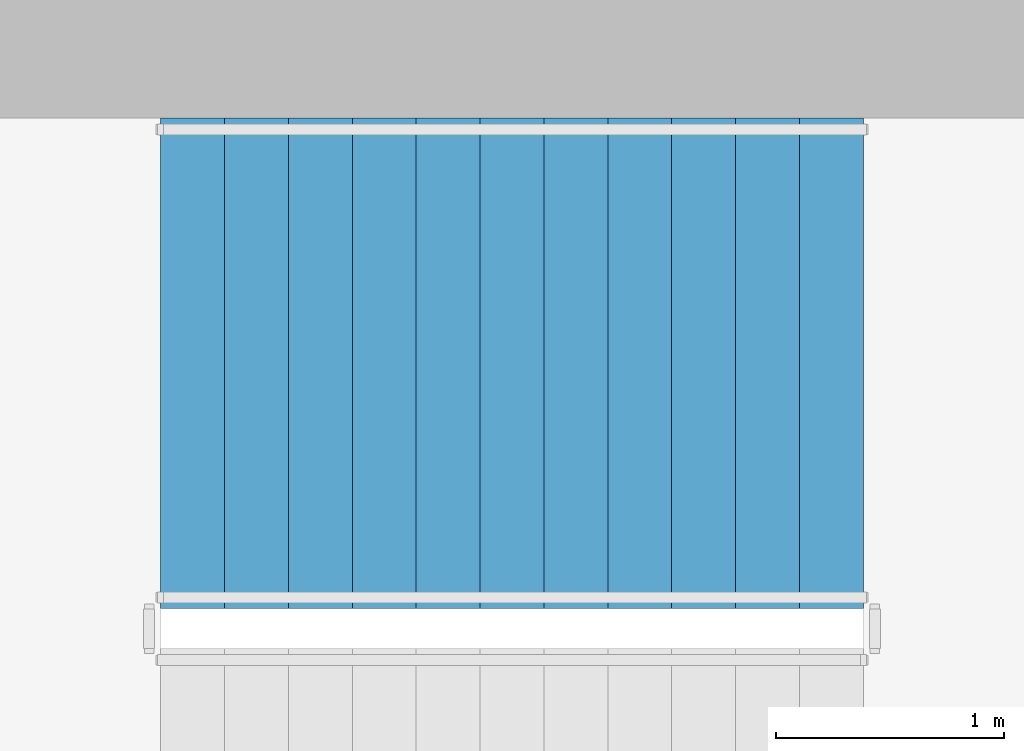
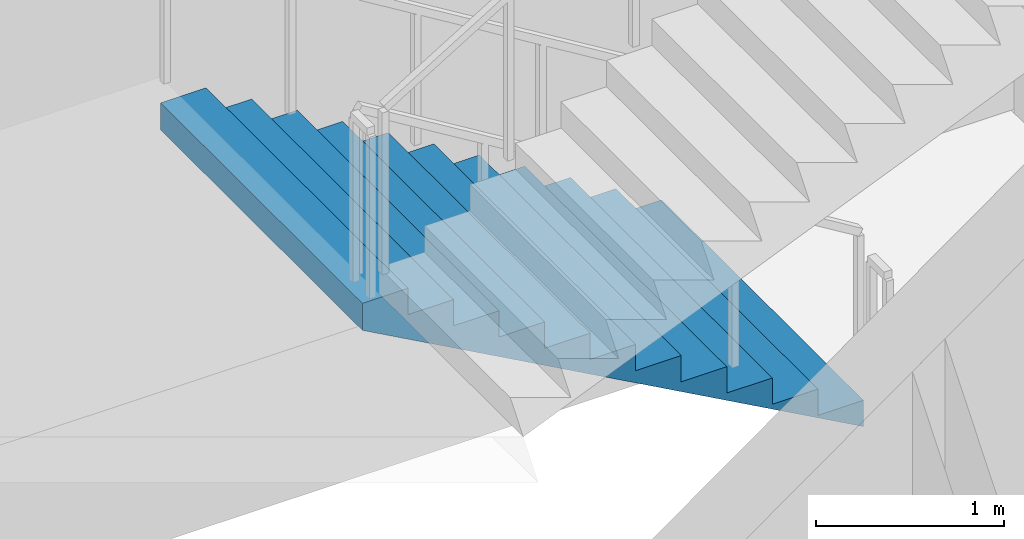
# One storey, part 8 of 14: 1 stair flight, 1 element without a shape of its own.
"""IFC4 building model written with IfcOpenShell, lengths in metres."""

from ifc_helpers import new_model, si_unit, direction, frame, origin, place, context, subcontext, project, spatial, triangles, material, type_object, element, aggregate, save


model = new_model("IFC4")

# Units and contexts
model_context = context("Model", 3, precision=1e-05, world=origin(), true_north=direction((0.0, 1.0)))
body_context = subcontext(model_context, "Body", "Model", "MODEL_VIEW")
ifc_project = project(units=[si_unit("LENGTHUNIT", "METRE"), si_unit("AREAUNIT", "SQUARE_METRE"), si_unit("VOLUMEUNIT", "CUBIC_METRE"), si_unit("PLANEANGLEUNIT", "RADIAN"), si_unit("MASSUNIT", "GRAM", prefix="KILO")], contexts=[model_context])

# Site, building, storey
site_placement = place(None, origin())
site = spatial("IfcSite", under=ifc_project, at=site_placement, CompositionType="ELEMENT")
building_placement = place(site_placement, origin())
building = spatial("IfcBuilding", under=site, at=building_placement, Name="Cypress Arch Tower", CompositionType="ELEMENT")
storey_placement = place(building_placement, frame((0.0, 0.0, 226.10009765625)))
storey = spatial("IfcBuildingStorey", under=building, at=storey_placement, Name="L50", CompositionType="ELEMENT", Elevation=226.10009765625)

# Stair, stair flight
ifc_material_1 = material(Name="Concrete C40/50", Category="concrete")
stair_type = type_object("IfcStairType", Name="Exit stair ES1708-215", PredefinedType="HALF_TURN_STAIR", material=ifc_material_1)
stair_placement = place(storey_placement, origin())
stair = element("IfcStair", 1, at=stair_placement, inside=storey, type_object=stair_type, Name="L50 Exit stair B", PredefinedType="HALF_TURN_STAIR")
ifc_material_2 = material(Name="Concrete C40/50", Category="concrete")
stair_flight_type = type_object("IfcStairFlightType", Name="Exit stair flight ES1708-215", PredefinedType="STRAIGHT", material=ifc_material_2)
stair_flight_placement = place(storey_placement, frame((-22.27490234375, 13.72509765625, 0.0), z_axis=(0.0, 0.0, 1.0), x_axis=(-1.0, 0.0, 0.0)))
stair_flight = element("IfcStairFlight", 2, at=stair_flight_placement, type_object=stair_flight_type, Name="B flight 1", NumberOfRisers=12, NumberOfTreads=11, PredefinedType="STRAIGHT", RiserHeight=0.170833333, TreadLength=0.28, context=body_context, shape_type="Tessellation", body=[
    triangles([(0.0, -1.074951171875, 0.0), (0.000244140625, -1.074951171875, 0.01904296875), (0.000244140625, -1.074951171875, 0.0380859375), (0.00048828125, -1.074951171875, 0.056884765625), (0.00048828125, -1.074951171875, 0.075927734375), (0.00048828125, -1.074951171875, 0.094970703125), (0.00048828125, -1.074951171875, 0.114013671875), (0.000244140625, -1.074951171875, 0.1328125), (0.000244140625, -1.074951171875, 0.15185546875), (0.0, -1.074951171875, 0.1708984375), (0.280029296875, -1.074951171875, 0.1708984375), (0.280029296875, -1.074951171875, 0.341552734375), (0.56005859375, -1.074951171875, 0.341552734375), (0.56005859375, -1.074951171875, 0.512451171875), (0.840087890625, -1.074951171875, 0.512451171875), (0.840087890625, -1.074951171875, 0.683349609375), (1.1201171875, -1.074951171875, 0.683349609375), (1.1201171875, -1.074951171875, 0.854248046875), (1.39990234375, -1.074951171875, 0.854248046875), (1.39990234375, -1.074951171875, 1.02490234375), (1.679931640625, -1.074951171875, 1.02490234375), (1.679931640625, -1.074951171875, 1.19580078125), (1.9599609375, -1.074951171875, 1.19580078125), (1.9599609375, -1.074951171875, 1.36669921875), (2.239990234375, -1.074951171875, 1.36669921875), (2.239990234375, -1.074951171875, 1.53759765625), (2.52001953125, -1.074951171875, 1.53759765625), (2.52001953125, -1.074951171875, 1.708251953125), (2.800048828125, -1.074951171875, 1.708251953125), (2.800048828125, -1.074951171875, 1.879150390625), (3.080078125, -1.074951171875, 1.879150390625), (3.079833984375, -1.074951171875, 1.859619140625), (3.079833984375, -1.074951171875, 1.840087890625), (3.07958984375, -1.074951171875, 1.820556640625), (3.07958984375, -1.074951171875, 1.801025390625), (3.07958984375, -1.074951171875, 1.78173828125), (3.07958984375, -1.074951171875, 1.76220703125), (3.079833984375, -1.074951171875, 1.74267578125), (3.079833984375, -1.074951171875, 1.72314453125), (3.080078125, -1.074951171875, 1.70361328125), (3.080078125, 1.074951171875, 1.70361328125), (3.079833984375, 1.074951171875, 1.72314453125), (3.079833984375, 1.074951171875, 1.74267578125), (3.07958984375, 1.074951171875, 1.76220703125), (3.07958984375, 1.074951171875, 1.78173828125), (3.07958984375, 1.074951171875, 1.801025390625), (3.07958984375, 1.074951171875, 1.820556640625), (3.079833984375, 1.074951171875, 1.840087890625), (3.079833984375, 1.074951171875, 1.859619140625), (3.080078125, 1.074951171875, 1.879150390625), (2.800048828125, 1.074951171875, 1.879150390625), (2.800048828125, 1.074951171875, 1.708251953125), (2.52001953125, 1.074951171875, 1.708251953125), (2.52001953125, 1.074951171875, 1.53759765625), (2.239990234375, 1.074951171875, 1.53759765625), (2.239990234375, 1.074951171875, 1.36669921875), (1.9599609375, 1.074951171875, 1.36669921875), (1.9599609375, 1.074951171875, 1.19580078125), (1.679931640625, 1.074951171875, 1.19580078125), (1.679931640625, 1.074951171875, 1.02490234375), (1.39990234375, 1.074951171875, 1.02490234375), (1.39990234375, 1.074951171875, 0.854248046875), (1.1201171875, 1.074951171875, 0.854248046875), (1.1201171875, 1.074951171875, 0.683349609375), (0.840087890625, 1.074951171875, 0.683349609375), (0.840087890625, 1.074951171875, 0.512451171875), (0.56005859375, 1.074951171875, 0.512451171875), (0.56005859375, 1.074951171875, 0.341552734375), (0.280029296875, 1.074951171875, 0.341552734375), (0.280029296875, 1.074951171875, 0.1708984375), (0.0, 1.074951171875, 0.1708984375), (0.000244140625, 1.074951171875, 0.15185546875), (0.000244140625, 1.074951171875, 0.1328125), (0.00048828125, 1.074951171875, 0.114013671875), (0.00048828125, 1.074951171875, 0.094970703125), (0.00048828125, 1.074951171875, 0.075927734375), (0.00048828125, 1.074951171875, 0.056884765625), (0.000244140625, 1.074951171875, 0.0380859375), (0.000244140625, 1.074951171875, 0.01904296875), (0.0, 1.074951171875, 0.0)], [[40, 39, 30], [39, 38, 30], [38, 37, 30], [37, 36, 30], [36, 35, 30], [35, 34, 30], [34, 33, 30], [33, 32, 30], [32, 31, 30], [19, 18, 17], [27, 26, 25], [25, 24, 23], [23, 22, 21], [17, 16, 15], [15, 14, 13], [10, 9, 11], [9, 8, 11], [8, 7, 11], [7, 6, 11], [6, 5, 11], [5, 4, 11], [4, 3, 11], [3, 2, 11], [2, 1, 11], [29, 28, 27], [21, 20, 19], [13, 12, 11], [40, 30, 29], [40, 29, 27], [40, 27, 25], [40, 25, 23], [40, 23, 21], [40, 21, 19], [40, 19, 17], [40, 17, 15], [40, 15, 13], [1, 40, 13], [13, 11, 1], [41, 51, 42], [42, 51, 43], [43, 51, 44], [44, 51, 45], [45, 51, 46], [46, 51, 47], [47, 51, 48], [48, 51, 49], [49, 51, 50], [62, 64, 63], [54, 56, 55], [56, 58, 57], [58, 60, 59], [64, 66, 65], [66, 68, 67], [71, 70, 72], [72, 70, 73], [73, 70, 74], [74, 70, 75], [75, 70, 76], [76, 70, 77], [77, 70, 78], [78, 70, 79], [79, 70, 80], [52, 54, 53], [60, 62, 61], [68, 70, 69], [41, 52, 51], [41, 54, 52], [41, 56, 54], [41, 58, 56], [41, 60, 58], [41, 62, 60], [41, 64, 62], [41, 66, 64], [41, 68, 66], [80, 68, 41], [68, 80, 70], [41, 42, 39], [41, 39, 40], [42, 43, 38], [42, 38, 39], [43, 44, 37], [43, 37, 38], [44, 45, 36], [44, 36, 37], [45, 46, 35], [45, 35, 36], [46, 47, 34], [46, 34, 35], [47, 48, 33], [47, 33, 34], [48, 49, 32], [48, 32, 33], [49, 50, 31], [49, 31, 32], [50, 51, 30], [50, 30, 31], [51, 52, 29], [51, 29, 30], [52, 53, 28], [52, 28, 29], [53, 54, 27], [53, 27, 28], [54, 55, 26], [54, 26, 27], [55, 56, 25], [55, 25, 26], [56, 57, 24], [56, 24, 25], [57, 58, 23], [57, 23, 24], [58, 59, 22], [58, 22, 23], [59, 60, 21], [59, 21, 22], [60, 61, 20], [60, 20, 21], [61, 62, 19], [61, 19, 20], [62, 63, 18], [62, 18, 19], [63, 64, 17], [63, 17, 18], [64, 65, 16], [64, 16, 17], [65, 66, 15], [65, 15, 16], [66, 67, 14], [66, 14, 15], [67, 68, 13], [67, 13, 14], [68, 69, 12], [68, 12, 13], [69, 70, 11], [69, 11, 12], [70, 71, 10], [70, 10, 11], [71, 72, 9], [71, 9, 10], [72, 73, 8], [72, 8, 9], [73, 74, 7], [73, 7, 8], [74, 75, 6], [74, 6, 7], [75, 76, 5], [75, 5, 6], [76, 77, 4], [76, 4, 5], [77, 78, 3], [77, 3, 4], [78, 79, 2], [78, 2, 3], [79, 80, 1], [79, 1, 2], [80, 41, 40], [80, 40, 1]], closed=True),
])
aggregate(stair, [stair_flight])

save(model, "model.ifc")
